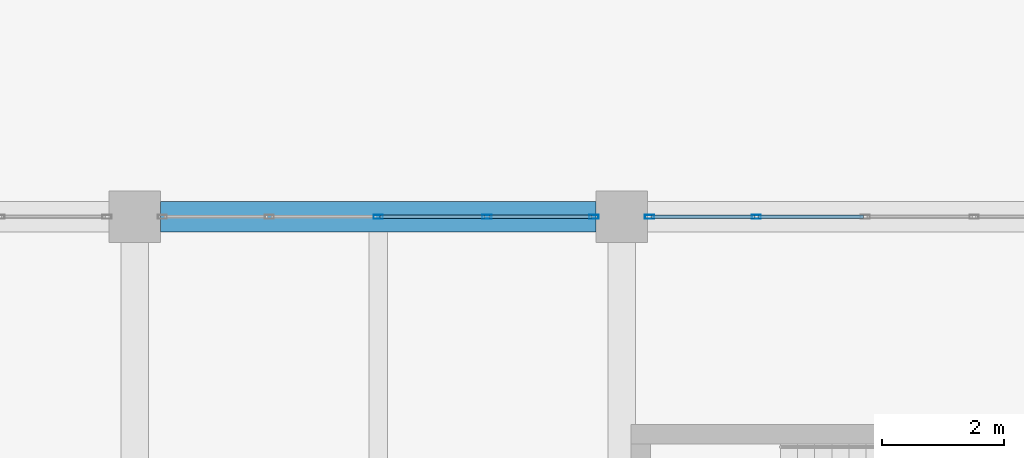
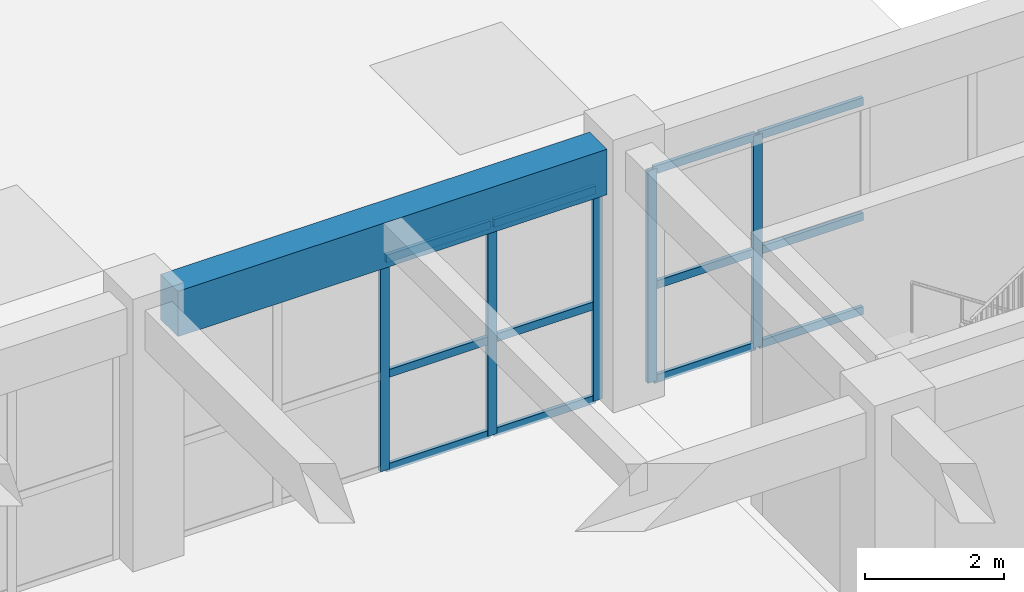
# One storey, part 43 of 101: 17 members, 1 beam, 2 elements without a shape of their own.
"""IFC4 building model written with IfcOpenShell, lengths in metres."""

from ifc_helpers import new_model, si_unit, direction, frame, origin, origin_2d, place, context, subcontext, project, spatial, rectangle, hollow_rectangle, extrude, material, material_profile, profile_set, type_object, element, aggregate, save


model = new_model("IFC4")

# Units and contexts
model_context = context("Model", 3, precision=1e-05, world=origin(), true_north=direction((0.0, 1.0)))
body_context = subcontext(model_context, "Body", "Model", "MODEL_VIEW")
ifc_project = project(units=[si_unit("LENGTHUNIT", "METRE"), si_unit("AREAUNIT", "SQUARE_METRE"), si_unit("VOLUMEUNIT", "CUBIC_METRE"), si_unit("PLANEANGLEUNIT", "RADIAN"), si_unit("MASSUNIT", "GRAM", prefix="KILO")], contexts=[model_context])

# Site, building, storey
site_placement = place(None, origin())
site = spatial("IfcSite", under=ifc_project, at=site_placement, CompositionType="ELEMENT")
building_placement = place(site_placement, origin())
building = spatial("IfcBuilding", under=site, at=building_placement, Name="Zantavel Square City Hall", CompositionType="ELEMENT")
storey_placement = place(building_placement, frame((0.0, 0.0, 5.39990234375)))
storey = spatial("IfcBuildingStorey", under=building, at=storey_placement, Name="L02", CompositionType="ELEMENT", Elevation=5.39990234375)

# Curtain wall, members
ifc_material_1 = material(Name="Anodised aluminium 6063-T6", Category="aluminium")
curtain_wall_type = type_object("IfcCurtainWallType", Name="Curtain Wall TRV1 7150x3740", PredefinedType="USERDEFINED", material=ifc_material_1)
curtain_wall_1_placement = place(storey_placement, origin())
curtain_wall_1 = element("IfcCurtainWall", 1, at=curtain_wall_1_placement, inside=storey, type_object=curtain_wall_type, Name="L02 Glazed Curtain Wall CW-L02-041", ObjectType="GLAZED CURTAIN WALL", PredefinedType="USERDEFINED")
ifc_material_profile_1 = material_profile(ifc_material_1, hollow_rectangle(XDim=0.06494140625, YDim=0.14990234375, WallThickness=0.00390625, at=origin_2d()), Name="ALU 65x150x4")
ifc_profile_set_1 = profile_set([ifc_material_profile_1], Name="Anodised aluminium 6063-T6")
member_type_1 = type_object("IfcMemberType", Name="CW Mullion ALU 65x150x4", PredefinedType="MULLION", material=ifc_profile_set_1)
member_1_placement = place(storey_placement, frame((92.0, 68.39990234375, 0.0), z_axis=(0.0, 0.0, 1.0), x_axis=(0.0, 1.0, 0.0)))
member_1 = element("IfcMember", 2, at=member_1_placement, type_object=member_type_1, Name="CW-041 mullion 3", PredefinedType="MULLION", context=body_context, shape_type="SweptSolid", body=[
    extrude(hollow_rectangle(XDim=0.06494140625, YDim=0.14990234375, WallThickness=0.00390625, at=origin_2d()), origin(), (0.0, 0.0, 1.0), 3.739990234375),
])
member_2_placement = place(storey_placement, frame((93.78759765625, 68.39990234375, 0.0), z_axis=(0.0, 0.0, 1.0), x_axis=(0.0, 1.0, 0.0)))
member_2 = element("IfcMember", 3, at=member_2_placement, type_object=member_type_1, Name="CW-041 mullion 4", PredefinedType="MULLION", context=body_context, shape_type="SweptSolid", body=[
    extrude(hollow_rectangle(XDim=0.06494140625, YDim=0.14990234375, WallThickness=0.00390625, at=origin_2d()), origin(), (0.0, 0.0, 1.0), 3.739990234375),
])
member_3_placement = place(storey_placement, frame((95.544921875, 68.39990234375, 0.0), z_axis=(0.0, 0.0, 1.0), x_axis=(0.0, 1.0, 0.0)))
member_3 = element("IfcMember", 4, at=member_3_placement, type_object=member_type_1, Name="CW-041 mullion 5", PredefinedType="MULLION", context=body_context, shape_type="SweptSolid", body=[
    extrude(hollow_rectangle(XDim=0.06494140625, YDim=0.14990234375, WallThickness=0.00390625, at=origin_2d()), origin(), (0.0, 0.0, 1.0), 3.739990234375),
])

curtain_wall_2_placement = place(storey_placement, origin())
curtain_wall_2 = element("IfcCurtainWall", 5, at=curtain_wall_2_placement, inside=storey, type_object=curtain_wall_type, Name="L02 Glazed Curtain Wall CW-L02-042", ObjectType="GLAZED CURTAIN WALL", PredefinedType="USERDEFINED")
member_4_placement = place(storey_placement, frame((96.455078125, 68.39990234375, 0.0), z_axis=(0.0, 0.0, 1.0), x_axis=(0.0, 1.0, 0.0)))
member_4 = element("IfcMember", 6, at=member_4_placement, type_object=member_type_1, Name="CW-042 mullion 1", PredefinedType="MULLION", context=body_context, shape_type="SweptSolid", body=[
    extrude(hollow_rectangle(XDim=0.06494140625, YDim=0.14990234375, WallThickness=0.00390625, at=origin_2d()), origin(), (0.0, 0.0, 1.0), 3.739990234375),
])
member_5_placement = place(storey_placement, frame((98.21240234375, 68.39990234375, 0.0), z_axis=(0.0, 0.0, 1.0), x_axis=(0.0, 1.0, 0.0)))
member_5 = element("IfcMember", 7, at=member_5_placement, type_object=member_type_1, Name="CW-042 mullion 2", PredefinedType="MULLION", context=body_context, shape_type="SweptSolid", body=[
    extrude(hollow_rectangle(XDim=0.06494140625, YDim=0.14990234375, WallThickness=0.00390625, at=origin_2d()), origin(), (0.0, 0.0, 1.0), 3.739990234375),
])

# Member
ifc_material_profile_2 = material_profile(ifc_material_1, hollow_rectangle(XDim=0.06005859375, YDim=0.139892578125, WallThickness=0.00390625, at=origin_2d()), Name="ALU 60x140x4")
ifc_profile_set_2 = profile_set([ifc_material_profile_2], Name="Anodised aluminium 6063-T6")
member_type_2 = type_object("IfcMemberType", Name="CW Transom ALU 60x140x4", PredefinedType="USERDEFINED", material=ifc_profile_set_2)
member_6_placement = place(storey_placement, frame((92.030029296875, 68.39990234375, 0.030029296875), z_axis=(1.0, 0.0, 0.0), x_axis=(0.0, 1.0, 0.0)))
member_6 = element("IfcMember", 8, at=member_6_placement, type_object=member_type_2, Name="CW-041 transom 3.1", ObjectType="TRANSOM", PredefinedType="USERDEFINED", context=body_context, shape_type="SweptSolid", body=[
    extrude(hollow_rectangle(XDim=0.06005859375, YDim=0.139892578125, WallThickness=0.00390625, at=origin_2d()), origin(), (0.0, 0.0, 1.0), 1.7275390625),
])

member_7_placement = place(storey_placement, frame((92.030029296875, 68.39990234375, 1.68310546875), z_axis=(1.0, 0.0, 0.0), x_axis=(0.0, 1.0, 0.0)))
member_7 = element("IfcMember", 9, at=member_7_placement, type_object=member_type_2, Name="CW-041 transom 3.2", ObjectType="TRANSOM", PredefinedType="USERDEFINED", context=body_context, shape_type="SweptSolid", body=[
    extrude(hollow_rectangle(XDim=0.06005859375, YDim=0.139892578125, WallThickness=0.00390625, at=origin_2d()), origin(), (0.0, 0.0, 1.0), 1.7275390625),
])

member_8_placement = place(storey_placement, frame((92.030029296875, 68.39990234375, 3.710205078125), z_axis=(1.0, 0.0, 0.0), x_axis=(0.0, 1.0, 0.0)))
member_8 = element("IfcMember", 10, at=member_8_placement, type_object=member_type_2, Name="CW-041 transom 3.3", ObjectType="TRANSOM", PredefinedType="USERDEFINED", context=body_context, shape_type="SweptSolid", body=[
    extrude(hollow_rectangle(XDim=0.06005859375, YDim=0.139892578125, WallThickness=0.00390625, at=origin_2d()), origin(), (0.0, 0.0, 1.0), 1.7275390625),
])

member_9_placement = place(storey_placement, frame((93.8173828125, 68.39990234375, 0.030029296875), z_axis=(1.0, 0.0, 0.0), x_axis=(0.0, 1.0, 0.0)))
member_9 = element("IfcMember", 11, at=member_9_placement, type_object=member_type_2, Name="CW-041 transom 4.1", ObjectType="TRANSOM", PredefinedType="USERDEFINED", context=body_context, shape_type="SweptSolid", body=[
    extrude(hollow_rectangle(XDim=0.06005859375, YDim=0.139892578125, WallThickness=0.00390625, at=origin_2d()), origin(), (0.0, 0.0, 1.0), 1.697509765625),
])

member_10_placement = place(storey_placement, frame((93.8173828125, 68.39990234375, 1.68310546875), z_axis=(1.0, 0.0, 0.0), x_axis=(0.0, 1.0, 0.0)))
member_10 = element("IfcMember", 12, at=member_10_placement, type_object=member_type_2, Name="CW-041 transom 4.2", ObjectType="TRANSOM", PredefinedType="USERDEFINED", context=body_context, shape_type="SweptSolid", body=[
    extrude(hollow_rectangle(XDim=0.06005859375, YDim=0.139892578125, WallThickness=0.00390625, at=origin_2d()), origin(), (0.0, 0.0, 1.0), 1.697509765625),
])

member_11_placement = place(storey_placement, frame((93.8173828125, 68.39990234375, 3.710205078125), z_axis=(1.0, 0.0, 0.0), x_axis=(0.0, 1.0, 0.0)))
member_11 = element("IfcMember", 13, at=member_11_placement, type_object=member_type_2, Name="CW-041 transom 4.3", ObjectType="TRANSOM", PredefinedType="USERDEFINED", context=body_context, shape_type="SweptSolid", body=[
    extrude(hollow_rectangle(XDim=0.06005859375, YDim=0.139892578125, WallThickness=0.00390625, at=origin_2d()), origin(), (0.0, 0.0, 1.0), 1.697509765625),
])

aggregate(curtain_wall_1, [member_1, member_2, member_3, member_6, member_7, member_8, member_9, member_10, member_11])

member_12_placement = place(storey_placement, frame((96.485107421875, 68.39990234375, 0.030029296875), z_axis=(1.0, 0.0, 0.0), x_axis=(0.0, 1.0, 0.0)))
member_12 = element("IfcMember", 14, at=member_12_placement, type_object=member_type_2, Name="CW-042 transom 1.1", ObjectType="TRANSOM", PredefinedType="USERDEFINED", context=body_context, shape_type="SweptSolid", body=[
    extrude(hollow_rectangle(XDim=0.06005859375, YDim=0.139892578125, WallThickness=0.00390625, at=origin_2d()), origin(), (0.0, 0.0, 1.0), 1.697509765625),
])

member_13_placement = place(storey_placement, frame((96.485107421875, 68.39990234375, 1.68310546875), z_axis=(1.0, 0.0, 0.0), x_axis=(0.0, 1.0, 0.0)))
member_13 = element("IfcMember", 15, at=member_13_placement, type_object=member_type_2, Name="CW-042 transom 1.2", ObjectType="TRANSOM", PredefinedType="USERDEFINED", context=body_context, shape_type="SweptSolid", body=[
    extrude(hollow_rectangle(XDim=0.06005859375, YDim=0.139892578125, WallThickness=0.00390625, at=origin_2d()), origin(), (0.0, 0.0, 1.0), 1.697509765625),
])

member_14_placement = place(storey_placement, frame((96.485107421875, 68.39990234375, 3.710205078125), z_axis=(1.0, 0.0, 0.0), x_axis=(0.0, 1.0, 0.0)))
member_14 = element("IfcMember", 16, at=member_14_placement, type_object=member_type_2, Name="CW-042 transom 1.3", ObjectType="TRANSOM", PredefinedType="USERDEFINED", context=body_context, shape_type="SweptSolid", body=[
    extrude(hollow_rectangle(XDim=0.06005859375, YDim=0.139892578125, WallThickness=0.00390625, at=origin_2d()), origin(), (0.0, 0.0, 1.0), 1.697509765625),
])

member_15_placement = place(storey_placement, frame((98.242431640625, 68.39990234375, 0.030029296875), z_axis=(1.0, 0.0, 0.0), x_axis=(0.0, 1.0, 0.0)))
member_15 = element("IfcMember", 17, at=member_15_placement, type_object=member_type_2, Name="CW-042 transom 2.1", ObjectType="TRANSOM", PredefinedType="USERDEFINED", context=body_context, shape_type="SweptSolid", body=[
    extrude(hollow_rectangle(XDim=0.06005859375, YDim=0.139892578125, WallThickness=0.00390625, at=origin_2d()), origin(), (0.0, 0.0, 1.0), 1.7275390625),
])

member_16_placement = place(storey_placement, frame((98.242431640625, 68.39990234375, 1.68310546875), z_axis=(1.0, 0.0, 0.0), x_axis=(0.0, 1.0, 0.0)))
member_16 = element("IfcMember", 18, at=member_16_placement, type_object=member_type_2, Name="CW-042 transom 2.2", ObjectType="TRANSOM", PredefinedType="USERDEFINED", context=body_context, shape_type="SweptSolid", body=[
    extrude(hollow_rectangle(XDim=0.06005859375, YDim=0.139892578125, WallThickness=0.00390625, at=origin_2d()), origin(), (0.0, 0.0, 1.0), 1.7275390625),
])

member_17_placement = place(storey_placement, frame((98.242431640625, 68.39990234375, 3.710205078125), z_axis=(1.0, 0.0, 0.0), x_axis=(0.0, 1.0, 0.0)))
member_17 = element("IfcMember", 19, at=member_17_placement, type_object=member_type_2, Name="CW-042 transom 2.3", ObjectType="TRANSOM", PredefinedType="USERDEFINED", context=body_context, shape_type="SweptSolid", body=[
    extrude(hollow_rectangle(XDim=0.06005859375, YDim=0.139892578125, WallThickness=0.00390625, at=origin_2d()), origin(), (0.0, 0.0, 1.0), 1.7275390625),
])

aggregate(curtain_wall_2, [member_4, member_5, member_12, member_13, member_14, member_15, member_16, member_17])

# Beam
ifc_material_2 = material(Name="Concrete C35/45", Category="concrete")
ifc_material_profile_3 = material_profile(ifc_material_2, rectangle(XDim=0.5, YDim=0.800048828125, at=origin_2d()), Name="RC 500x800")
ifc_profile_set_3 = profile_set([ifc_material_profile_3], Name="Concrete C35/45")
beam_type = type_object("IfcBeamType", Name="Primary Girder RC 500x800 C35/45", PredefinedType="BEAM", material=ifc_profile_set_3)
beam_placement = place(storey_placement, frame((88.425048828125, 68.39990234375, 4.14013671875), z_axis=(1.0, 0.0, 0.0), x_axis=(0.0, 1.0, 0.0)))
element("IfcBeam", 20, at=beam_placement, inside=storey, type_object=beam_type, Name="L02 Girder BMX-L02-0880-0684", PredefinedType="BEAM", context=body_context, shape_type="SweptSolid", body=[
    extrude(rectangle(XDim=0.5, YDim=0.800048828125, at=origin_2d()), origin(), (0.0, 0.0, 1.0), 7.14990234375),
])

save(model, "model.ifc")
